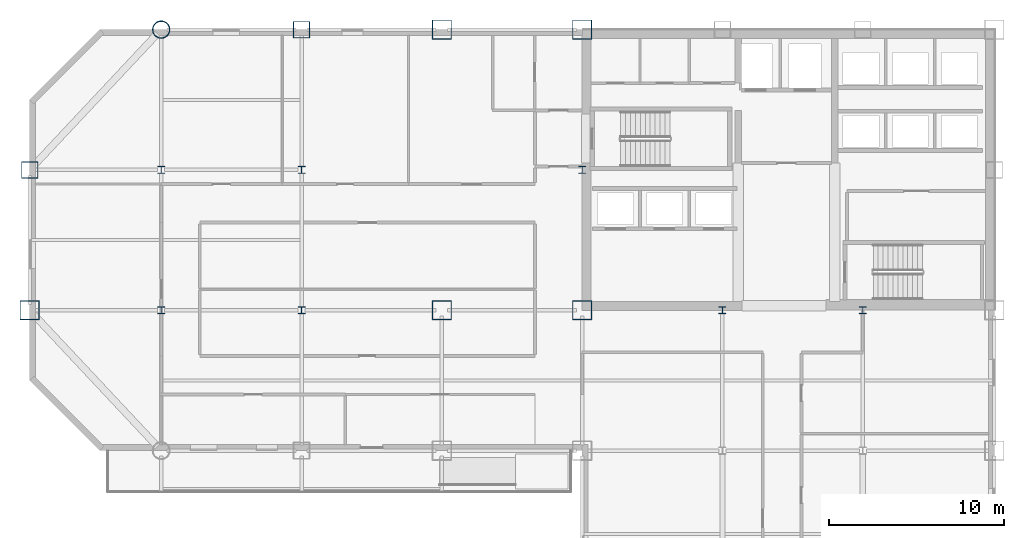
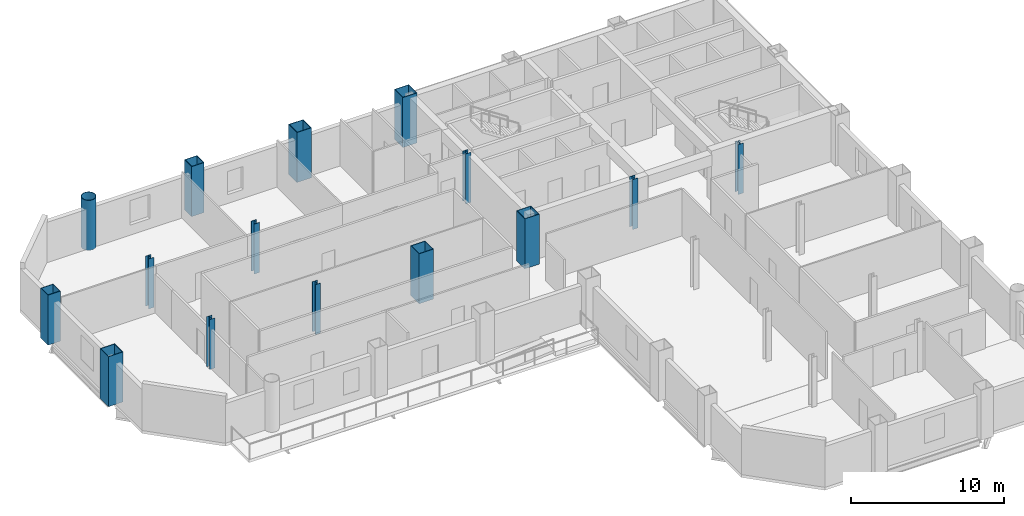
# One storey, part 3 of 10: 15 columns.
"""IFC4 building model written with IfcOpenShell, lengths in metres."""

from ifc_helpers import new_model, si_unit, direction, frame, origin, origin_2d, place, context, subcontext, project, spatial, hollow_rectangle, hollow_circle, i_section, extrude, material, material_profile, profile_set, type_object, element, save


model = new_model("IFC4")

# Units and contexts
model_context = context("Model", 3, precision=1e-05, world=origin(), true_north=direction((0.0, 1.0)))
body_context = subcontext(model_context, "Body", "Model", "MODEL_VIEW")
ifc_project = project(units=[si_unit("LENGTHUNIT", "METRE"), si_unit("AREAUNIT", "SQUARE_METRE"), si_unit("VOLUMEUNIT", "CUBIC_METRE"), si_unit("PLANEANGLEUNIT", "RADIAN"), si_unit("MASSUNIT", "GRAM", prefix="KILO")], contexts=[model_context])

# Site, building, storey
site_placement = place(None, origin())
site = spatial("IfcSite", under=ifc_project, at=site_placement, CompositionType="ELEMENT")
building_placement = place(site_placement, origin())
building = spatial("IfcBuilding", under=site, at=building_placement, Name="Qianrong Seaharbour Tower", CompositionType="ELEMENT")
storey_placement = place(building_placement, frame((0.0, 0.0, 187.0)))
storey = spatial("IfcBuildingStorey", under=building, at=storey_placement, Name="L45", CompositionType="ELEMENT", Elevation=187.0)

# Columns
ifc_material = material(Name="Structural steel SN490B", Category="steel")
ifc_material_profile_1 = material_profile(ifc_material, hollow_rectangle(XDim=1.10009765625, YDim=1.10009765625, WallThickness=0.0400390625, at=origin_2d()), Name="BOX1100x1100x40")
ifc_profile_set_1 = profile_set([ifc_material_profile_1], Name="Structural steel SN490B")
column_type_1 = type_object("IfcColumnType", Name="COL-CFT-1100", PredefinedType="COLUMN", material=ifc_profile_set_1)
for number, where, z_axis, x_axis, name in (
    (1, (9.0, 36.0, 0.0), (0.0, 0.0, 1.0), (1.0, 0.0, 0.0), "L45 Column MC-3 at G2/GF"),
    (2, (32.5, 36.0, 0.0), (0.0, 0.0, 1.0), (1.0, 0.0, 0.0), "L45 Column MC-3 at G5/GF"),
    (3, (32.5, 52.0, 0.0), (0.0, 0.0, 1.0), (1.0, 0.0, 0.0), "L45 Column MC-3 at G5/GH"),
    (4, (40.5, 36.0, 0.0), (0.0, 0.0, 1.0), (1.0, 0.0, 0.0), "L45 Column MC-3 at G6/GF"),
    (5, (40.5, 52.0, 0.0), (0.0, 0.0, 1.0), (1.0, 0.0, 0.0), "L45 Column MC-3 at G6/GH"),
):
    element("IfcColumn", number, at=place(storey_placement, frame(where, z_axis=z_axis, x_axis=x_axis)), inside=storey, type_object=column_type_1, Name=name, PredefinedType="COLUMN", context=body_context, shape_type="SweptSolid", body=[
        extrude(hollow_rectangle(XDim=1.10009765625, YDim=1.10009765625, WallThickness=0.0400390625, at=origin_2d()), origin(), (0.0, 0.0, 1.0), 4.0),
    ])
ifc_material_profile_2 = material_profile(ifc_material, hollow_circle(Radius=0.5, WallThickness=0.035888671875, at=origin_2d()), Name="CHS1000x36")
ifc_profile_set_2 = profile_set([ifc_material_profile_2], Name="Structural steel SN490B")
column_type_2 = type_object("IfcColumnType", Name="COL-CHS-1000", PredefinedType="COLUMN", material=ifc_profile_set_2)
column_placement = place(storey_placement, frame((16.5, 52.0, 0.0), z_axis=(0.0, 0.0, 1.0), x_axis=(1.0, 0.0, 0.0)))
element("IfcColumn", 6, at=column_placement, inside=storey, type_object=column_type_2, Name="L45 Column CC-2 at G3/GH", PredefinedType="COLUMN", context=body_context, shape_type="SweptSolid", body=[
    extrude(hollow_circle(Radius=0.5, WallThickness=0.035888671875, at=origin_2d()), origin(), (0.0, 0.0, 1.0), 4.0),
])
ifc_material_profile_3 = material_profile(ifc_material, i_section(OverallWidth=0.39990234375, OverallDepth=0.39990234375, WebThickness=0.012939453125, FlangeThickness=0.02099609375, FilletRadius=0.02197265625, at=origin_2d()), Name="H400x400x13x21")
ifc_profile_set_3 = profile_set([ifc_material_profile_3], Name="Structural steel SN490B")
column_type_3 = type_object("IfcColumnType", Name="COL-INT-H400", PredefinedType="COLUMN", material=ifc_profile_set_3)
for number, where, z_axis, x_axis, name in (
    (7, (16.5, 36.0, 0.0), (0.0, 0.0, 1.0), (1.0, 0.0, 0.0), "L45 Column IC-3 at G3/GF"),
    (8, (16.5, 44.0, 0.0), (0.0, 0.0, 1.0), (1.0, 0.0, 0.0), "L45 Column IC-3 at G3/GG"),
    (9, (24.5, 36.0, 0.0), (0.0, 0.0, 1.0), (1.0, 0.0, 0.0), "L45 Column IC-3 at G4/GF"),
    (10, (24.5, 44.0, 0.0), (0.0, 0.0, 1.0), (1.0, 0.0, 0.0), "L45 Column IC-3 at G4/GG"),
    (11, (40.5, 44.0, 0.0), (0.0, 0.0, 1.0), (1.0, 0.0, 0.0), "L45 Column IC-3 at G6/GG"),
    (12, (48.5, 36.0, 0.0), (0.0, 0.0, 1.0), (1.0, 0.0, 0.0), "L45 Column IC-3 at G7/GF"),
    (13, (56.5, 36.0, 0.0), (0.0, 0.0, 1.0), (1.0, 0.0, 0.0), "L45 Column IC-3 at G8/GF"),
):
    element("IfcColumn", number, at=place(storey_placement, frame(where, z_axis=z_axis, x_axis=x_axis)), inside=storey, type_object=column_type_3, Name=name, PredefinedType="COLUMN", context=body_context, shape_type="SweptSolid", body=[
        extrude(i_section(OverallWidth=0.39990234375, OverallDepth=0.39990234375, WebThickness=0.012939453125, FlangeThickness=0.02099609375, FilletRadius=0.02197265625, at=origin_2d()), origin(), (0.0, 0.0, 1.0), 4.0),
    ])
ifc_material_profile_4 = material_profile(ifc_material, hollow_rectangle(XDim=0.949951171875, YDim=0.949951171875, WallThickness=0.035888671875, at=origin_2d()), Name="BOX950x950x36")
ifc_profile_set_4 = profile_set([ifc_material_profile_4], Name="Structural steel SN490B")
column_type_4 = type_object("IfcColumnType", Name="COL-PER-950", PredefinedType="COLUMN", material=ifc_profile_set_4)
for number, where, z_axis, x_axis, name in (
    (14, (9.0, 44.0, 0.0), (0.0, 0.0, 1.0), (1.0, 0.0, 0.0), "L45 Column PC-2 at G2/GG"),
    (15, (24.5, 52.0, 0.0), (0.0, 0.0, 1.0), (1.0, 0.0, 0.0), "L45 Column PC-2 at G4/GH"),
):
    element("IfcColumn", number, at=place(storey_placement, frame(where, z_axis=z_axis, x_axis=x_axis)), inside=storey, type_object=column_type_4, Name=name, PredefinedType="COLUMN", context=body_context, shape_type="SweptSolid", body=[
        extrude(hollow_rectangle(XDim=0.949951171875, YDim=0.949951171875, WallThickness=0.035888671875, at=origin_2d()), origin(), (0.0, 0.0, 1.0), 4.0),
    ])

save(model, "model.ifc")
